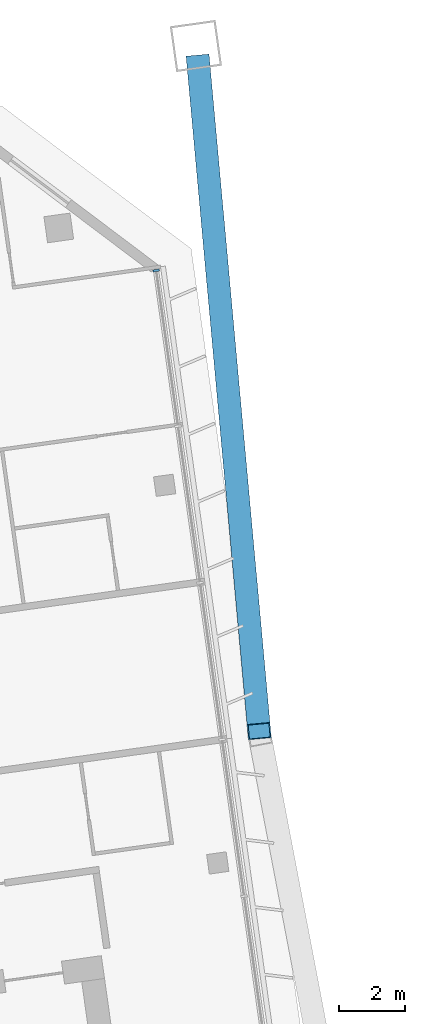
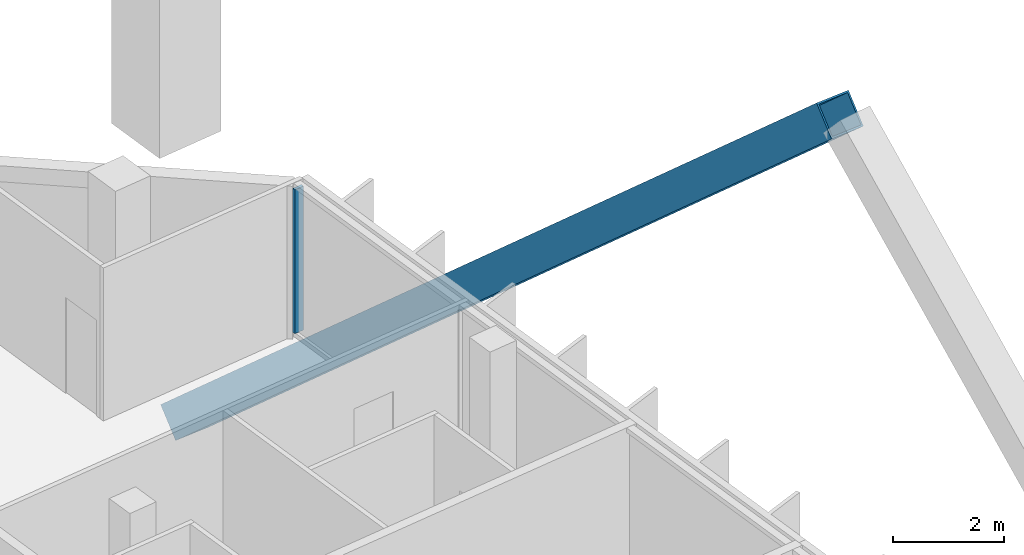
# One storey, part 14 of 28: 2 members, 1 element without a shape of its own.
"""IFC4 building model written with IfcOpenShell, lengths in metres."""

import ifcopenshell
import ifcopenshell.guid

model = None  # the IFC model being written
_history = None  # IfcOwnerHistory: only IFC2X3 demands one
_inside = {}  # id of a spatial element -> (the spatial element, [elements in it])
_under = {}  # id of a project, library or spatial element -> (it, [spatial elements below it])
_declared = {}  # id of a project -> (the project, [libraries it declares])
_typed = {}  # id of a type object -> (the type object, [elements of that type])
_made_of = {}  # id of a material, layer set ... -> (it, [elements and type objects made of it])


def new_model(schema):
    """Start an empty IFC model of exactly this schema.

    Asked for "IFC4X3", IfcOpenShell would pick the latest addendum, in which some entities
    have other attributes; the version numbers below select the first issue.
    IFC2X3 requires an IfcOwnerHistory on every rooted entity: one is made here for all.
    """
    global model, _history
    if schema == "IFC4X3":
        model = ifcopenshell.file(schema_version=(4, 3, 0, 0))
    else:
        model = ifcopenshell.file(schema=schema)
    _inside.clear()
    _under.clear()
    _declared.clear()
    _typed.clear()
    _made_of.clear()
    _history = None
    if model.schema == "IFC2X3":
        org = make("IfcOrganization", Name="unknown")
        user = make(
            "IfcPersonAndOrganization",
            ThePerson=make("IfcPerson", FamilyName="unknown"),
            TheOrganization=org,
        )
        app = make(
            "IfcApplication",
            ApplicationDeveloper=org,
            Version="unknown",
            ApplicationFullName="unknown",
            ApplicationIdentifier="unknown",
        )
        _history = make(
            "IfcOwnerHistory",
            OwningUser=user,
            OwningApplication=app,
            ChangeAction="ADDED",
            CreationDate=0,
        )
    return model


def make(cls, **values):
    """One entity of the class cls with the attributes given. An attribute that is None is left unset."""
    return model.create_entity(
        cls, **{name: value for name, value in values.items() if value is not None}
    )


def rooted(cls, **values):
    """An entity with a GlobalId (a new one), such as an element, a storey or a relation."""
    return make(cls, GlobalId=ifcopenshell.guid.new(), OwnerHistory=_history, **values)


def si_unit(unit_type, name, prefix=None):
    """IfcSIUnit, for example si_unit("LENGTHUNIT", "METRE", prefix="MILLI")."""
    return make("IfcSIUnit", UnitType=unit_type, Prefix=prefix, Name=name)


def assignment(units):
    """IfcUnitAssignment: the units of a project."""
    return None if units is None else make("IfcUnitAssignment", Units=units)


def point(xyz):
    """IfcCartesianPoint."""
    return None if xyz is None else make("IfcCartesianPoint", Coordinates=xyz)


def direction(xyz):
    """IfcDirection."""
    return None if xyz is None else make("IfcDirection", DirectionRatios=xyz)


def frame(location, z_axis=None, x_axis=None):
    """IfcAxis2Placement3D, a coordinate frame: its origin and axes. An axis left out is left unset."""
    return make(
        "IfcAxis2Placement3D",
        Location=point(location),
        Axis=direction(z_axis),
        RefDirection=direction(x_axis),
    )


def frame_2d(location, x_axis=None):
    """IfcAxis2Placement2D, a coordinate frame in the plane: its origin and x axis."""
    return make(
        "IfcAxis2Placement2D", Location=point(location), RefDirection=direction(x_axis)
    )


def origin():
    """The frame at (0, 0, 0) with its axes left unset."""
    return frame((0.0, 0.0, 0.0))


def origin_2d():
    """The frame at (0, 0) in the plane with its x axis left unset."""
    return frame_2d((0.0, 0.0))


def place(relative_to, where):
    """IfcLocalPlacement: puts the frame where relative to a parent placement (None: the world)."""
    return make(
        "IfcLocalPlacement", PlacementRelTo=relative_to, RelativePlacement=where
    )


def context(
    kind, dimensions, precision=None, world=None, true_north=None, identifier=None
):
    """IfcGeometricRepresentationContext, for example the 3D "Model" context."""
    return make(
        "IfcGeometricRepresentationContext",
        ContextIdentifier=identifier,
        ContextType=kind,
        CoordinateSpaceDimension=dimensions,
        Precision=precision,
        WorldCoordinateSystem=world,
        TrueNorth=true_north,
    )


def subcontext(parent, identifier, kind, view, scale=None):
    """IfcGeometricRepresentationSubContext, for example "Body" below "Model"."""
    return make(
        "IfcGeometricRepresentationSubContext",
        ContextIdentifier=identifier,
        ContextType=kind,
        ParentContext=parent,
        TargetScale=scale,
        TargetView=view,
    )


def project(units=None, contexts=None):
    """IfcProject with its units and contexts."""
    return rooted(
        "IfcProject",
        Name="project",
        RepresentationContexts=contexts,
        UnitsInContext=assignment(units),
    )


def spatial(cls, under=None, at=None, **own):
    """A site, building, storey or space (cls), placed at a placement, below another one or the project."""
    s = rooted(cls, ObjectPlacement=at, **own)
    if under is not None:
        _under.setdefault(under.id(), (under, []))[1].append(s)
    return s


def profile(cls, at=None, kind="AREA", **sizes):
    """A parametric profile (cls). Its sizes go by their IFC names, for example OverallWidth=200.0."""
    return make(cls, ProfileType=kind, Position=at, **sizes)


def rectangle(**sizes):
    """IfcRectangleProfileDef."""
    return profile("IfcRectangleProfileDef", **sizes)


def hollow_rectangle(**sizes):
    """IfcRectangleHollowProfileDef."""
    return profile("IfcRectangleHollowProfileDef", **sizes)


def extrude(swept, where, along, depth):
    """IfcExtrudedAreaSolid: the profile swept, set in the frame where, extruded along a direction by depth."""
    return make(
        "IfcExtrudedAreaSolid",
        SweptArea=swept,
        Position=where,
        ExtrudedDirection=direction(along),
        Depth=depth,
    )


def shape(context_of_items, identifier, shape_type, items):
    """IfcShapeRepresentation: the items that make up one representation, for example the "Body"."""
    return make(
        "IfcShapeRepresentation",
        ContextOfItems=context_of_items,
        RepresentationIdentifier=identifier,
        RepresentationType=shape_type,
        Items=items,
    )


def material(Name=None, Category=None):
    """IfcMaterial."""
    return make("IfcMaterial", Name=Name, Category=Category)


def material_profile(
    of_material, cross_section, Name=None, Category=None, Priority=None
):
    """IfcMaterialProfile: a cross section and its material."""
    return make(
        "IfcMaterialProfile",
        Name=Name,
        Material=of_material,
        Profile=cross_section,
        Priority=Priority,
        Category=Category,
    )


def profile_set(profiles, Name=None, composite=None):
    """IfcMaterialProfileSet."""
    return make(
        "IfcMaterialProfileSet",
        Name=Name,
        MaterialProfiles=profiles,
        CompositeProfile=composite,
    )


def made_of(thing, what):
    """Note that an element or type object is made of a material, layer set ...; save() writes the relation."""
    if what is not None:
        _made_of.setdefault(what.id(), (what, []))[1].append(thing)
    return thing


def type_object(cls, material=None, **own):
    """A type object (cls), such as IfcWallType, which elements share."""
    return made_of(rooted(cls, **own), material)


def element(
    cls,
    number,
    at=None,
    inside=None,
    cuts=None,
    type_object=None,
    material=None,
    context=None,
    identifier="Body",
    shape_type=None,
    held_by="IfcProductDefinitionShape",
    body=None,
    shapes=None,
    **own,
):
    """One element of the class cls, such as IfcWall. Its Tag is "e" and its number.

    at: its placement. inside: the storey or other place that contains it. cuts: it is an
    opening in that element (IfcRelVoidsElement). A single representation is given by context,
    identifier, shape_type and body (its items); several are given by shapes. held_by: the class
    of the entity that holds the representations. save() writes the other relations.
    """
    e = rooted(cls, Tag="e%d" % number, ObjectPlacement=at, **own)
    if body is not None:
        shapes = [shape(context, identifier, shape_type, body)]
    if shapes is not None:
        e.Representation = make(held_by, Representations=shapes)
    if inside is not None:
        _inside.setdefault(inside.id(), (inside, []))[1].append(e)
    if cuts is not None:
        rooted(
            "IfcRelVoidsElement", RelatingBuildingElement=cuts, RelatedOpeningElement=e
        )
    if type_object is not None:
        _typed.setdefault(type_object.id(), (type_object, []))[1].append(e)
    return made_of(e, material)


def aggregate(whole, parts):
    """IfcRelAggregates: a whole, such as a stair, and the parts it consists of."""
    return rooted("IfcRelAggregates", RelatingObject=whole, RelatedObjects=parts)


def save(model, path):
    """Write the relations noted so far, then the file.

    IfcRelAggregates (storeys below a building ...), IfcRelContainedInSpatialStructure (elements
    in a storey), IfcRelDefinesByType, IfcRelAssociatesMaterial and IfcRelDeclares: one each for
    every whole, place, type object, material and project.
    """
    for whole, parts in _under.values():
        aggregate(whole, parts)
    for where, things in _inside.values():
        rooted(
            "IfcRelContainedInSpatialStructure",
            RelatedElements=things,
            RelatingStructure=where,
        )
    for kind, things in _typed.values():
        rooted("IfcRelDefinesByType", RelatedObjects=things, RelatingType=kind)
    for what, things in _made_of.values():
        rooted("IfcRelAssociatesMaterial", RelatedObjects=things, RelatingMaterial=what)
    for by, libraries in _declared.values():
        rooted("IfcRelDeclares", RelatingContext=by, RelatedDefinitions=libraries)
    model.write(path)


model = new_model("IFC4")

# Units and contexts
model_context = context("Model", 3, precision=1e-05, world=origin(), true_north=direction((0.0, 1.0)))
body_context = subcontext(model_context, "Body", "Model", "MODEL_VIEW")
ifc_project = project(units=[si_unit("LENGTHUNIT", "METRE"), si_unit("AREAUNIT", "SQUARE_METRE"), si_unit("VOLUMEUNIT", "CUBIC_METRE"), si_unit("PLANEANGLEUNIT", "RADIAN"), si_unit("MASSUNIT", "GRAM", prefix="KILO")], contexts=[model_context])

# Site, building, storey
site_placement = place(None, origin())
site = spatial("IfcSite", under=ifc_project, at=site_placement, CompositionType="ELEMENT")
building_placement = place(site_placement, origin())
building = spatial("IfcBuilding", under=site, at=building_placement, Name="Mirante Cascada Hotel Towers", CompositionType="ELEMENT")
storey_placement = place(building_placement, frame((0.0, 0.0, 165.0)))
storey = spatial("IfcBuildingStorey", under=building, at=storey_placement, Name="L38", CompositionType="ELEMENT", Elevation=165.0)

# Member
ifc_material_1 = material(Name="Steel ASTM A572 Gr 50", Category="steel")
ifc_material_profile_1 = material_profile(ifc_material_1, hollow_rectangle(XDim=0.7, YDim=0.7, WallThickness=0.035, at=origin_2d()), Name="Box brace 700x700x35 ASTM A572 Gr 50")
ifc_profile_set_1 = profile_set([ifc_material_profile_1], Name="Steel ASTM A572 Gr 50")
member_type_1 = type_object("IfcMemberType", Name="Box brace 700x700x35 ASTM A572 Gr 50", PredefinedType="BRACE", material=ifc_profile_set_1)
member_1_placement = place(storey_placement, frame((91.5166, 27.3306, -6.0447), z_axis=(0.0676245, -0.7418038, 0.6671987), x_axis=(0.9958704, 0.0907857, 0.0)))
element("IfcMember", 1, at=member_1_placement, inside=storey, type_object=member_type_1, Name="brace T2 L38 2", PredefinedType="BRACE", context=body_context, shape_type="SweptSolid", body=[
    extrude(hollow_rectangle(XDim=0.7, YDim=0.7, WallThickness=0.035, at=origin_2d()), origin(), (0.0, 0.0, 1.0), 27.4043),
])

# Curtain wall, member
ifc_material_2 = material(Name="Aluminium mullion and transom frame with clear laminated glass", Category="aluminium")
curtain_wall_type = type_object("IfcCurtainWallType", Name="End ribbon curtain wall ECW2", PredefinedType="NOTDEFINED", material=ifc_material_2)
curtain_wall_placement = place(storey_placement, origin())
curtain_wall = element("IfcCurtainWall", 2, at=curtain_wall_placement, inside=storey, type_object=curtain_wall_type, Name="Outer end wall T2 L38", PredefinedType="NOTDEFINED")
ifc_material_3 = material(Name="Anodised aluminium extrusion", Category="aluminium")
ifc_material_profile_2 = material_profile(ifc_material_3, rectangle(XDim=0.2, YDim=0.065, at=origin_2d()), Name="ECW2 MULLION 65x200")
ifc_profile_set_2 = profile_set([ifc_material_profile_2], Name="Anodised aluminium extrusion")
member_type_2 = type_object("IfcMemberType", Name="ECW2 mullion 65x200", PredefinedType="MULLION", material=ifc_profile_set_2)
member_2_placement = place(storey_placement, frame((90.2335, 21.0122, 0.1), z_axis=(0.0, 0.0, 1.0), x_axis=(-0.9902681, -0.1391731, 0.0)))
member_2 = element("IfcMember", 3, at=member_2_placement, type_object=member_type_2, Name="ECW2 mullion 7", PredefinedType="MULLION", context=body_context, shape_type="SweptSolid", body=[
    extrude(rectangle(XDim=0.2, YDim=0.065, at=origin_2d()), origin(), (0.0, 0.0, 1.0), 3.15),
])
aggregate(curtain_wall, [member_2])

save(model, "model.ifc")
